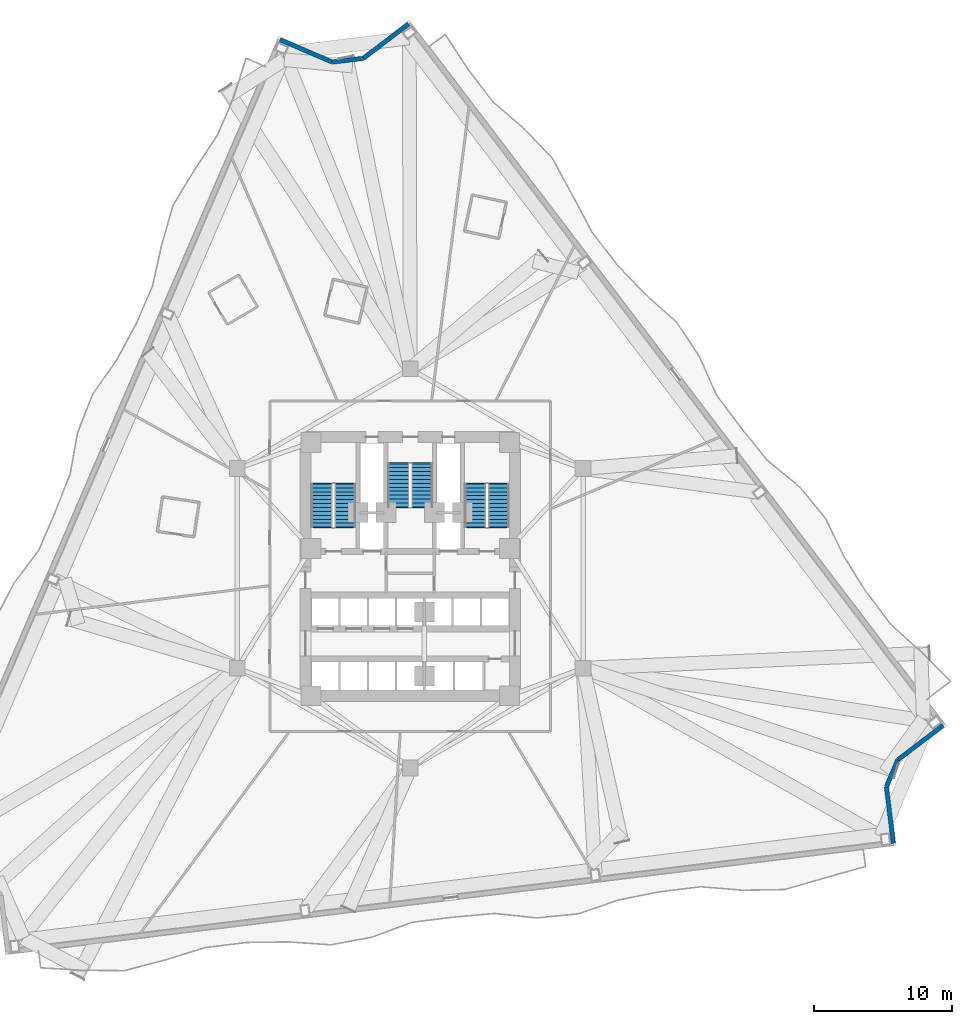
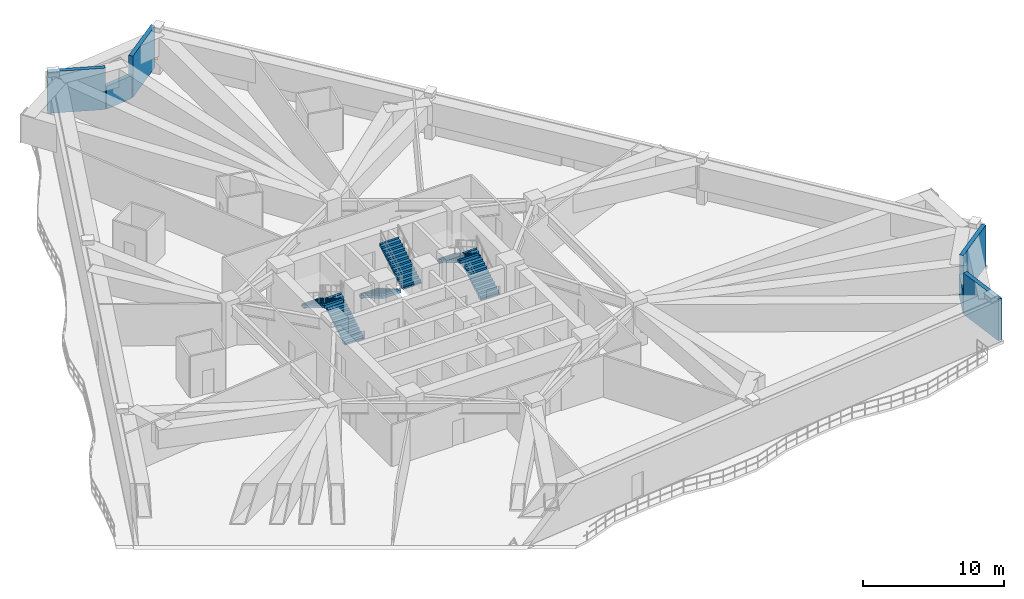
# One storey, part 10 of 14: 6 stair flights, 6 walls, 3 elements without a shape of their own.
"""IFC4 building model written with IfcOpenShell, lengths in metres."""

from ifc_helpers import new_model, si_unit, direction, frame, frame_2d, origin, place, context, subcontext, project, spatial, polyline, rectangle, outline, extrude, material, layer, layer_set, type_object, element, aggregate, save


model = new_model("IFC4")

# Units and contexts
model_context = context("Model", 3, precision=1e-05, world=origin(), true_north=direction((0.0, 1.0)))
body_context = subcontext(model_context, "Body", "Model", "MODEL_VIEW")
ifc_project = project(units=[si_unit("LENGTHUNIT", "METRE"), si_unit("AREAUNIT", "SQUARE_METRE"), si_unit("VOLUMEUNIT", "CUBIC_METRE"), si_unit("PLANEANGLEUNIT", "RADIAN"), si_unit("MASSUNIT", "GRAM", prefix="KILO")], contexts=[model_context])

# Site, building, storey
site_placement = place(None, origin())
site = spatial("IfcSite", under=ifc_project, at=site_placement, CompositionType="ELEMENT")
building_placement = place(site_placement, origin())
building = spatial("IfcBuilding", under=site, at=building_placement, Name="Apsidion Concourse Tower", CompositionType="ELEMENT")
storey_placement = place(building_placement, frame((0.0, 0.0, 91.0)))
storey = spatial("IfcBuildingStorey", under=building, at=storey_placement, Name="L20", CompositionType="ELEMENT", Elevation=91.0)

# Walls
ifc_material = material(Name="Precast concrete C40/50", Category="concrete")
ifc_layer = layer(ifc_material, 0.320068359375)
ifc_layer_set = layer_set([ifc_layer], Name="Precast concrete C40/50")
wall_type = type_object("IfcWallType", Name="WL-EXT-320", PredefinedType="STANDARD", material=ifc_layer_set)
wall_1_placement = place(storey_placement, frame((38.6962890625, -11.40673828125, 0.0), z_axis=(0.0, 0.0, 1.0), x_axis=(-0.795549815011, -0.605888184269, 0.0)))
element("IfcWall", 1, at=wall_1_placement, inside=storey, type_object=wall_type, Name="L20 Precast Stone Facade Wall 02", PredefinedType="STANDARD", context=body_context, shape_type="SweptSolid", body=[
    extrude(rectangle(XDim=4.128173828125, YDim=0.320068359375, at=frame_2d((2.06396484375, 0.0))), origin(), (0.0, 0.0, 1.0), 3.60009765625),
])
wall_2_placement = place(storey_placement, frame((35.412109375, -13.907958984375, 0.0), z_axis=(0.0, 0.0, 1.0), x_axis=(-0.388344964834, -0.921514073841, 0.0)))
element("IfcWall", 2, at=wall_2_placement, inside=storey, type_object=wall_type, Name="L20 Precast Stone Facade Wall 03", PredefinedType="STANDARD", context=body_context, shape_type="SweptSolid", body=[
    extrude(rectangle(XDim=2.122314453125, YDim=0.320068359375, at=frame_2d((1.06103515625, 0.0))), origin(), (0.0, 0.0, 1.0), 1.97998046875),
])
wall_3_placement = place(storey_placement, frame((34.587890625, -15.86376953125, 0.0), z_axis=(0.0, 0.0, 1.0), x_axis=(0.12182895116, -0.992551110351, 0.0)))
element("IfcWall", 3, at=wall_3_placement, inside=storey, type_object=wall_type, Name="L20 Precast Stone Facade Wall 04", PredefinedType="STANDARD", context=body_context, shape_type="SweptSolid", body=[
    extrude(rectangle(XDim=4.128173828125, YDim=0.320068359375, at=frame_2d((2.06396484375, 0.0))), origin(), (0.0, 0.0, 1.0), 3.60009765625),
])
wall_4_placement = place(storey_placement, frame((-9.45751953125, 38.408203125, 0.0), z_axis=(0.0, 0.0, 1.0), x_axis=(0.918510754284, -0.395395996774, 0.0)))
element("IfcWall", 4, at=wall_4_placement, inside=storey, type_object=wall_type, Name="L20 Precast Stone Facade Wall 10", PredefinedType="STANDARD", context=body_context, shape_type="SweptSolid", body=[
    extrude(rectangle(XDim=4.12890625, YDim=0.320068359375, at=frame_2d((2.064453125, 0.0))), origin(), (0.0, 0.0, 1.0), 3.60009765625),
])
wall_5_placement = place(storey_placement, frame((-5.6650390625, 36.775634765625, 0.0), z_axis=(0.0, 0.0, 1.0), x_axis=(0.992547088217, 0.121861715369, 0.0)))
element("IfcWall", 5, at=wall_5_placement, inside=storey, type_object=wall_type, Name="L20 Precast Stone Facade Wall 11", PredefinedType="STANDARD", context=body_context, shape_type="SweptSolid", body=[
    extrude(rectangle(XDim=2.281982421875, YDim=0.320068359375, at=frame_2d((1.14111328125, 0.0))), origin(), (0.0, 0.0, 1.0), 1.97998046875),
])
wall_6_placement = place(storey_placement, frame((-3.400146484375, 37.0537109375, 0.0), z_axis=(0.0, 0.0, 1.0), x_axis=(0.795557931523, 0.605877526891, 0.0)))
element("IfcWall", 6, at=wall_6_placement, inside=storey, type_object=wall_type, Name="L20 Precast Stone Facade Wall 12", PredefinedType="STANDARD", context=body_context, shape_type="SweptSolid", body=[
    extrude(rectangle(XDim=4.129150390625, YDim=0.320068359375, at=frame_2d((2.064453125, 0.0))), origin(), (0.0, 0.0, 1.0), 3.60009765625),
])

# Stair, stair flights
stair_type = type_object("IfcStairType", Name="ST-DL-1550", PredefinedType="HALF_TURN_STAIR", material=ifc_material)
stair_1_placement = place(storey_placement, origin())
stair_1 = element("IfcStair", 7, at=stair_1_placement, inside=storey, type_object=stair_type, Name="L20 Protected Core Exit Stair ST1", PredefinedType="HALF_TURN_STAIR")
stair_flight_type = type_object("IfcStairFlightType", Name="SFL-RC-1550", PredefinedType="STRAIGHT", material=ifc_material)
stair_flight_1_placement = place(storey_placement, frame((-4.72509765625, 3.0, 0.0), z_axis=(0.0, 0.0, 1.0), x_axis=(0.0, 1.0, 0.0)))
stair_flight_1 = element("IfcStairFlight", 8, at=stair_flight_1_placement, type_object=stair_flight_type, Name="ST1 flight 1", NumberOfRisers=12, NumberOfTreads=11, PredefinedType="STRAIGHT", RiserHeight=0.166666667, TreadLength=0.285, context=body_context, shape_type="SweptSolid", body=[
    extrude(outline(polyline([(-0.080078125, -0.1123046875), (-0.080078125, 0.0), (0.0, 0.0), (0.0, 0.166748046875), (0.284912109375, 0.166748046875), (0.284912109375, 0.333251953125), (0.570068359375, 0.333251953125), (0.570068359375, 0.5), (0.85498046875, 0.5), (0.85498046875, 0.666748046875), (1.139892578125, 0.666748046875), (1.139892578125, 0.833251953125), (1.425048828125, 0.833251953125), (1.425048828125, 1.0), (1.7099609375, 1.0), (1.7099609375, 1.166748046875), (1.9951171875, 1.166748046875), (1.9951171875, 1.333251953125), (2.280029296875, 1.333251953125), (2.280029296875, 1.5), (2.56494140625, 1.5), (2.56494140625, 1.666748046875), (2.85009765625, 1.666748046875), (2.85009765625, 1.833251953125), (3.135009765625, 1.833251953125), (3.135009765625, 2.0), (3.215087890625, 1.916748046875), (3.215087890625, 1.65966796875), (3.135009765625, 1.65966796875), (0.296875, 0.0), (0.296875, -0.1123046875), (-0.080078125, -0.1123046875)])), frame((0.0, 0.77490234375, 0.0), z_axis=(0.0, -1.0, 0.0), x_axis=(1.0, 0.0, 0.0)), (0.0, 0.0, 1.0), 1.550048828125),
])
stair_flight_2_placement = place(storey_placement, frame((-6.425048828125, 6.135009765625, 2.0), z_axis=(0.0, 0.0, 1.0), x_axis=(0.0, -1.0, 0.0)))
stair_flight_2 = element("IfcStairFlight", 9, at=stair_flight_2_placement, type_object=stair_flight_type, Name="ST1 flight 2", NumberOfRisers=12, NumberOfTreads=11, PredefinedType="STRAIGHT", RiserHeight=0.166666667, TreadLength=0.285, context=body_context, shape_type="SweptSolid", body=[
    extrude(outline(polyline([(-0.080078125, -0.1123046875), (-0.080078125, 0.0), (0.0, 0.0), (0.0, 0.166748046875), (0.284912109375, 0.166748046875), (0.284912109375, 0.333251953125), (0.570068359375, 0.333251953125), (0.570068359375, 0.5), (0.85498046875, 0.5), (0.85498046875, 0.666748046875), (1.139892578125, 0.666748046875), (1.139892578125, 0.833251953125), (1.425048828125, 0.833251953125), (1.425048828125, 1.0), (1.7099609375, 1.0), (1.7099609375, 1.166748046875), (1.9951171875, 1.166748046875), (1.9951171875, 1.333251953125), (2.280029296875, 1.333251953125), (2.280029296875, 1.5), (2.56494140625, 1.5), (2.56494140625, 1.666748046875), (2.85009765625, 1.666748046875), (2.85009765625, 1.833251953125), (3.135009765625, 1.833251953125), (3.135009765625, 2.0), (3.215087890625, 1.916748046875), (3.215087890625, 1.65966796875), (3.135009765625, 1.65966796875), (0.296875, 0.0), (0.296875, -0.1123046875), (-0.080078125, -0.1123046875)])), frame((0.0, 0.77490234375, 0.0), z_axis=(0.0, -1.0, 0.0), x_axis=(1.0, 0.0, 0.0)), (0.0, 0.0, 1.0), 1.550048828125),
])
aggregate(stair_1, [stair_flight_1, stair_flight_2])

stair_2_placement = place(storey_placement, origin())
stair_2 = element("IfcStair", 10, at=stair_2_placement, inside=storey, type_object=stair_type, Name="L20 Protected Core Exit Stair ST2", PredefinedType="HALF_TURN_STAIR")
stair_flight_3_placement = place(storey_placement, frame((6.425048828125, 3.0, 0.0), z_axis=(0.0, 0.0, 1.0), x_axis=(0.0, 1.0, 0.0)))
stair_flight_3 = element("IfcStairFlight", 11, at=stair_flight_3_placement, type_object=stair_flight_type, Name="ST2 flight 1", NumberOfRisers=12, NumberOfTreads=11, PredefinedType="STRAIGHT", RiserHeight=0.166666667, TreadLength=0.285, context=body_context, shape_type="SweptSolid", body=[
    extrude(outline(polyline([(-0.080078125, -0.1123046875), (-0.080078125, 0.0), (0.0, 0.0), (0.0, 0.166748046875), (0.284912109375, 0.166748046875), (0.284912109375, 0.333251953125), (0.570068359375, 0.333251953125), (0.570068359375, 0.5), (0.85498046875, 0.5), (0.85498046875, 0.666748046875), (1.139892578125, 0.666748046875), (1.139892578125, 0.833251953125), (1.425048828125, 0.833251953125), (1.425048828125, 1.0), (1.7099609375, 1.0), (1.7099609375, 1.166748046875), (1.9951171875, 1.166748046875), (1.9951171875, 1.333251953125), (2.280029296875, 1.333251953125), (2.280029296875, 1.5), (2.56494140625, 1.5), (2.56494140625, 1.666748046875), (2.85009765625, 1.666748046875), (2.85009765625, 1.833251953125), (3.135009765625, 1.833251953125), (3.135009765625, 2.0), (3.215087890625, 1.916748046875), (3.215087890625, 1.65966796875), (3.135009765625, 1.65966796875), (0.296875, 0.0), (0.296875, -0.1123046875), (-0.080078125, -0.1123046875)])), frame((0.0, 0.77490234375, 0.0), z_axis=(0.0, -1.0, 0.0), x_axis=(1.0, 0.0, 0.0)), (0.0, 0.0, 1.0), 1.550048828125),
])
stair_flight_4_placement = place(storey_placement, frame((4.72509765625, 6.135009765625, 2.0), z_axis=(0.0, 0.0, 1.0), x_axis=(0.0, -1.0, 0.0)))
stair_flight_4 = element("IfcStairFlight", 12, at=stair_flight_4_placement, type_object=stair_flight_type, Name="ST2 flight 2", NumberOfRisers=12, NumberOfTreads=11, PredefinedType="STRAIGHT", RiserHeight=0.166666667, TreadLength=0.285, context=body_context, shape_type="SweptSolid", body=[
    extrude(outline(polyline([(-0.080078125, -0.1123046875), (-0.080078125, 0.0), (0.0, 0.0), (0.0, 0.166748046875), (0.284912109375, 0.166748046875), (0.284912109375, 0.333251953125), (0.570068359375, 0.333251953125), (0.570068359375, 0.5), (0.85498046875, 0.5), (0.85498046875, 0.666748046875), (1.139892578125, 0.666748046875), (1.139892578125, 0.833251953125), (1.425048828125, 0.833251953125), (1.425048828125, 1.0), (1.7099609375, 1.0), (1.7099609375, 1.166748046875), (1.9951171875, 1.166748046875), (1.9951171875, 1.333251953125), (2.280029296875, 1.333251953125), (2.280029296875, 1.5), (2.56494140625, 1.5), (2.56494140625, 1.666748046875), (2.85009765625, 1.666748046875), (2.85009765625, 1.833251953125), (3.135009765625, 1.833251953125), (3.135009765625, 2.0), (3.215087890625, 1.916748046875), (3.215087890625, 1.65966796875), (3.135009765625, 1.65966796875), (0.296875, 0.0), (0.296875, -0.1123046875), (-0.080078125, -0.1123046875)])), frame((0.0, 0.77490234375, 0.0), z_axis=(0.0, -1.0, 0.0), x_axis=(1.0, 0.0, 0.0)), (0.0, 0.0, 1.0), 1.550048828125),
])
aggregate(stair_2, [stair_flight_3, stair_flight_4])

stair_3_placement = place(storey_placement, origin())
stair_3 = element("IfcStair", 13, at=stair_3_placement, inside=storey, type_object=stair_type, Name="L20 Protected Core Exit Stair ST3", PredefinedType="HALF_TURN_STAIR")
stair_flight_5_placement = place(storey_placement, frame((-0.85009765625, 7.60009765625, 0.0), z_axis=(0.0, 0.0, 1.0), x_axis=(0.0, -1.0, 0.0)))
stair_flight_5 = element("IfcStairFlight", 14, at=stair_flight_5_placement, type_object=stair_flight_type, Name="ST3 flight 1", NumberOfRisers=12, NumberOfTreads=11, PredefinedType="STRAIGHT", RiserHeight=0.166666667, TreadLength=0.285, context=body_context, shape_type="SweptSolid", body=[
    extrude(outline(polyline([(-0.080078125, -0.1123046875), (-0.080078125, 0.0), (0.0, 0.0), (0.0, 0.166748046875), (0.284912109375, 0.166748046875), (0.284912109375, 0.333251953125), (0.570068359375, 0.333251953125), (0.570068359375, 0.5), (0.85498046875, 0.5), (0.85498046875, 0.666748046875), (1.139892578125, 0.666748046875), (1.139892578125, 0.833251953125), (1.425048828125, 0.833251953125), (1.425048828125, 1.0), (1.7099609375, 1.0), (1.7099609375, 1.166748046875), (1.9951171875, 1.166748046875), (1.9951171875, 1.333251953125), (2.280029296875, 1.333251953125), (2.280029296875, 1.5), (2.56494140625, 1.5), (2.56494140625, 1.666748046875), (2.85009765625, 1.666748046875), (2.85009765625, 1.833251953125), (3.135009765625, 1.833251953125), (3.135009765625, 2.0), (3.215087890625, 1.916748046875), (3.215087890625, 1.65966796875), (3.135009765625, 1.65966796875), (0.296875, 0.0), (0.296875, -0.1123046875), (-0.080078125, -0.1123046875)])), frame((0.0, 0.77490234375, 0.0), z_axis=(0.0, -1.0, 0.0), x_axis=(1.0, 0.0, 0.0)), (0.0, 0.0, 1.0), 1.550048828125),
])
stair_flight_6_placement = place(storey_placement, frame((0.85009765625, 4.465087890625, 2.0), z_axis=(0.0, 0.0, 1.0), x_axis=(0.0, 1.0, 0.0)))
stair_flight_6 = element("IfcStairFlight", 15, at=stair_flight_6_placement, type_object=stair_flight_type, Name="ST3 flight 2", NumberOfRisers=12, NumberOfTreads=11, PredefinedType="STRAIGHT", RiserHeight=0.166666667, TreadLength=0.285, context=body_context, shape_type="SweptSolid", body=[
    extrude(outline(polyline([(-0.080078125, -0.1123046875), (-0.080078125, 0.0), (0.0, 0.0), (0.0, 0.166748046875), (0.284912109375, 0.166748046875), (0.284912109375, 0.333251953125), (0.570068359375, 0.333251953125), (0.570068359375, 0.5), (0.85498046875, 0.5), (0.85498046875, 0.666748046875), (1.139892578125, 0.666748046875), (1.139892578125, 0.833251953125), (1.425048828125, 0.833251953125), (1.425048828125, 1.0), (1.7099609375, 1.0), (1.7099609375, 1.166748046875), (1.9951171875, 1.166748046875), (1.9951171875, 1.333251953125), (2.280029296875, 1.333251953125), (2.280029296875, 1.5), (2.56494140625, 1.5), (2.56494140625, 1.666748046875), (2.85009765625, 1.666748046875), (2.85009765625, 1.833251953125), (3.135009765625, 1.833251953125), (3.135009765625, 2.0), (3.215087890625, 1.916748046875), (3.215087890625, 1.65966796875), (3.135009765625, 1.65966796875), (0.296875, 0.0), (0.296875, -0.1123046875), (-0.080078125, -0.1123046875)])), frame((0.0, 0.77490234375, 0.0), z_axis=(0.0, -1.0, 0.0), x_axis=(1.0, 0.0, 0.0)), (0.0, 0.0, 1.0), 1.550048828125),
])
aggregate(stair_3, [stair_flight_5, stair_flight_6])

save(model, "model.ifc")
